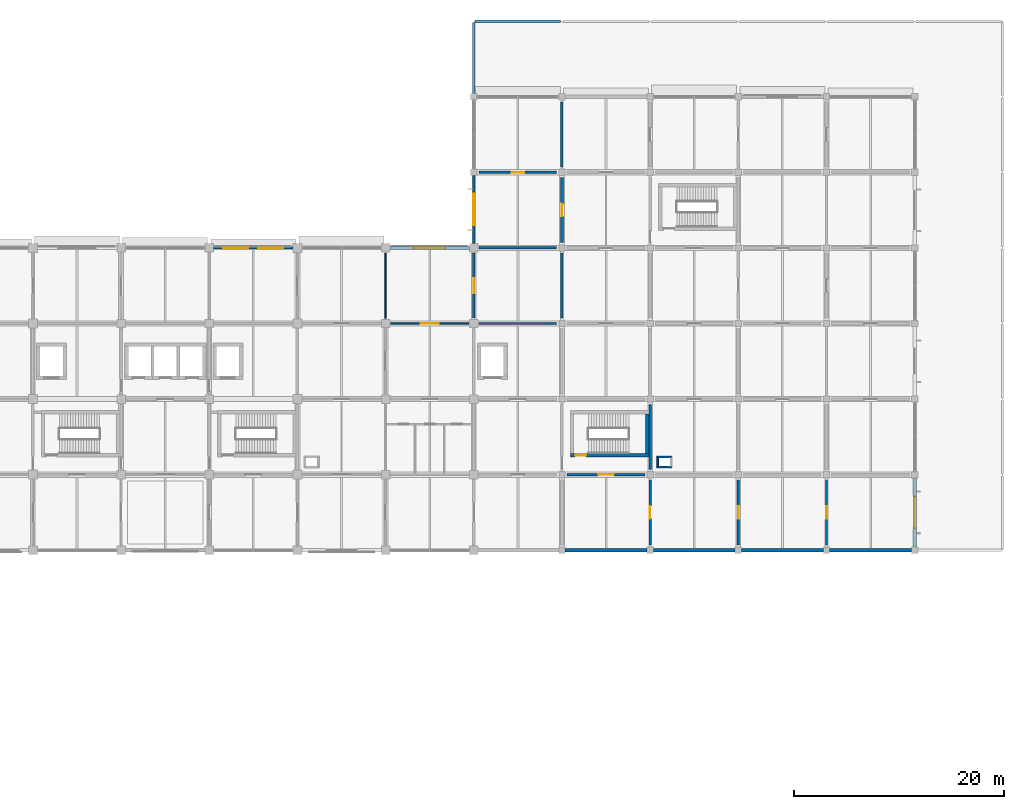
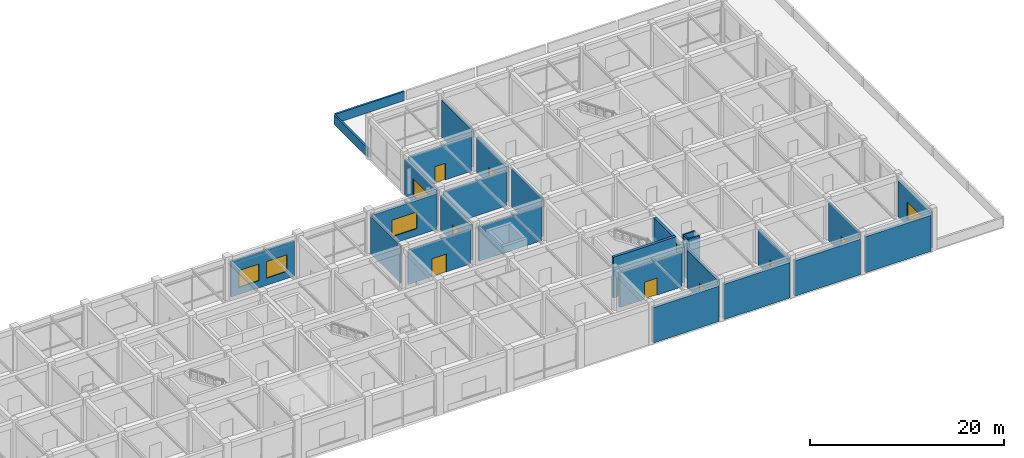
# One storey, part 28 of 38: 29 walls, 9 doors, 5 windows, 14 openings.
"""IFC4 building model written with IfcOpenShell, lengths in metres."""

from ifc_helpers import new_model, si_unit, derived_unit, direction, frame, frame_2d, origin, place, context, subcontext, project, spatial, rectangle, extrude, material, layer, layer_set, type_object, element, fill, save


model = new_model("IFC4")

# Units and contexts
model_context = context("Model", 3, precision=1e-05, world=origin(), true_north=direction((0.0, 1.0)))
body_context = subcontext(model_context, "Body", "Model", "MODEL_VIEW")
ifc_project = project(units=[si_unit("LENGTHUNIT", "METRE"), si_unit("AREAUNIT", "SQUARE_METRE"), si_unit("VOLUMEUNIT", "CUBIC_METRE"), si_unit("PLANEANGLEUNIT", "RADIAN"), si_unit("MASSUNIT", "GRAM", prefix="KILO"), derived_unit("THERMALTRANSMITTANCEUNIT", [(si_unit("MASSUNIT", "GRAM", prefix="KILO"), 1), (si_unit("TIMEUNIT", "SECOND"), -3), (si_unit("THERMODYNAMICTEMPERATUREUNIT", "KELVIN"), -1)])], contexts=[model_context])

# Site, building, storey
site_placement = place(None, origin())
site = spatial("IfcSite", under=ifc_project, at=site_placement, CompositionType="ELEMENT")
building_placement = place(site_placement, origin())
building = spatial("IfcBuilding", under=site, at=building_placement, Name="Veldstrom Oceanarium and Marine Research Institute", CompositionType="ELEMENT")
storey_placement = place(building_placement, frame((0.0, 0.0, 11.39990234375)))
storey = spatial("IfcBuildingStorey", under=building, at=storey_placement, Name="L02", CompositionType="ELEMENT", Elevation=11.39990234375)

# Wall, opening, window
ifc_material_1 = material(Name="Masonry Cavity Wall", Category="masonry")
ifc_layer_1 = layer(ifc_material_1, 0.31005859375)
ifc_layer_set_1 = layer_set([ifc_layer_1], Name="ARC-WAL-EW1")
wall_type_1 = type_object("IfcWallType", Name="ARC-WAL-EW1", PredefinedType="SOLIDWALL", material=ifc_layer_set_1)
wall_1_placement = place(storey_placement, frame((159.60009765625, 43.5, 0.0), z_axis=(0.0, 0.0, 1.0), x_axis=(0.0, 1.0, 0.0)))
wall_1 = element("IfcWall", 1, at=wall_1_placement, inside=storey, type_object=wall_type_1, Name="Exterior Facade Wall EW1 L02-146", PredefinedType="SOLIDWALL", context=body_context, shape_type="SweptSolid", body=[
    extrude(rectangle(XDim=6.60009765625, YDim=0.31005859375, at=frame_2d((3.300048828125, 0.0))), origin(), (0.0, 0.0, 1.0), 4.52001953125),
])
opening_1_placement = place(wall_1_placement, frame((1.800048828125, 0.0, 0.89990234375)))
opening_1 = element("IfcOpeningElement", 2, at=opening_1_placement, cuts=wall_1, Name="Opening W07", PredefinedType="OPENING", context=body_context, shape_type="SweptSolid", body=[
    extrude(rectangle(XDim=3.0, YDim=2.10009765625, at=frame_2d((1.5, 1.050048828125))), frame((0.0, 0.1650390625, 0.0), z_axis=(0.0, -1.0, 0.0), x_axis=(1.0, 0.0, 0.0)), (0.0, 0.0, 1.0), 0.330078125),
])
ifc_material_2 = material(Name="Double Glazed Low-E IGU", Category="glass")
window_type_1 = type_object("IfcWindowType", Name="ARC-WIN-W07", PartitioningType="SINGLE_PANEL", PredefinedType="WINDOW", material=ifc_material_2)
window_1_placement = place(opening_1_placement, origin())
window_1 = element("IfcWindow", 3, at=window_1_placement, inside=storey, type_object=window_type_1, Name="Facade Window W07 L02-0106", OverallHeight=2.10009765625, OverallWidth=3.0, PartitioningType="SINGLE_PANEL", PredefinedType="WINDOW", context=body_context, shape_type="SweptSolid", body=[
    extrude(rectangle(XDim=3.0, YDim=2.10009765625, at=frame_2d((1.5, 1.050048828125))), frame((0.0, 0.030029296875, 0.0), z_axis=(0.0, -1.0, 0.0), x_axis=(1.0, 0.0, 0.0)), (0.0, 0.0, 1.0), 0.06005859375),
])
fill(opening_1, window_1)

ifc_material_3 = material(Name="Masonry Cavity Wall", Category="masonry")
ifc_layer_2 = layer(ifc_material_3, 0.2900390625)
ifc_layer_set_2 = layer_set([ifc_layer_2], Name="ARC-WAL-EW2")
wall_type_2 = type_object("IfcWallType", Name="ARC-WAL-EW2", PredefinedType="SOLIDWALL", material=ifc_layer_set_2)
wall_2_placement = place(storey_placement, frame((109.60009765625, 72.0, 0.0), z_axis=(0.0, 0.0, 1.0), x_axis=(1.0, 0.0, 0.0)))
wall_2 = element("IfcWall", 4, at=wall_2_placement, inside=storey, type_object=wall_type_2, Name="Exterior Facade Wall EW2 L02-137", PredefinedType="SOLIDWALL", context=body_context, shape_type="SweptSolid", body=[
    extrude(rectangle(XDim=7.599853515625, YDim=0.2900390625, at=frame_2d((3.7998046875, 0.0))), origin(), (0.0, 0.0, 1.0), 4.445068359375),
])
opening_2_placement = place(wall_2_placement, frame((2.300048828125, 0.0, 0.89990234375)))
opening_2 = element("IfcOpeningElement", 5, at=opening_2_placement, cuts=wall_2, Name="Opening W07", PredefinedType="OPENING", context=body_context, shape_type="SweptSolid", body=[
    extrude(rectangle(XDim=3.0, YDim=2.10009765625, at=frame_2d((1.5, 1.050048828125))), frame((0.0, 0.155029296875, 0.0), z_axis=(0.0, -1.0, 0.0), x_axis=(1.0, 0.0, 0.0)), (0.0, 0.0, 1.0), 0.31005859375),
])
window_2_placement = place(opening_2_placement, origin())
window_2 = element("IfcWindow", 6, at=window_2_placement, inside=storey, type_object=window_type_1, Name="Facade Window W07 L02-0103", OverallHeight=2.10009765625, OverallWidth=3.0, PartitioningType="SINGLE_PANEL", PredefinedType="WINDOW", context=body_context, shape_type="SweptSolid", body=[
    extrude(rectangle(XDim=3.0, YDim=2.10009765625, at=frame_2d((1.5, 1.050048828125))), frame((0.0, 0.030029296875, 0.0), z_axis=(0.0, -1.0, 0.0), x_axis=(1.0, 0.0, 0.0)), (0.0, 0.0, 1.0), 0.06005859375),
])
fill(opening_2, window_2)

# Walls
ifc_material_4 = material(Name="Masonry Cavity Wall", Category="masonry")
ifc_layer_3 = layer(ifc_material_4, 0.340087890625)
ifc_layer_set_3 = layer_set([ifc_layer_3], Name="ARC-WAL-EW4")
wall_type_3 = type_object("IfcWallType", Name="ARC-WAL-EW4", PredefinedType="SOLIDWALL", material=ifc_layer_set_3)
for number, where, z_axis, x_axis, name in (
    (7, (126.300048828125, 43.199951171875, 0.0), (0.0, 0.0, 1.0), (1.0, 0.0, 0.0), "Exterior Facade Wall EW4 L02-140"),
    (8, (134.699951171875, 43.199951171875, 0.0), (0.0, 0.0, 1.0), (1.0, 0.0, 0.0), "Exterior Facade Wall EW4 L02-142"),
):
    element("IfcWall", number, at=place(storey_placement, frame(where, z_axis=z_axis, x_axis=x_axis)), inside=storey, type_object=wall_type_3, Name=name, PredefinedType="SOLIDWALL", context=body_context, shape_type="SweptSolid", body=[
        extrude(rectangle(XDim=7.800048828125, YDim=0.340087890625, at=frame_2d((3.89990234375, 0.0))), origin(), (0.0, 0.0, 1.0), 4.445068359375),
    ])
wall_3_placement = place(storey_placement, frame((143.10009765625, 43.199951171875, 0.0), z_axis=(0.0, 0.0, 1.0), x_axis=(1.0, 0.0, 0.0)))
element("IfcWall", 9, at=wall_3_placement, inside=storey, type_object=wall_type_3, Name="Exterior Facade Wall EW4 L02-143", PredefinedType="SOLIDWALL", context=body_context, shape_type="SweptSolid", body=[
    extrude(rectangle(XDim=7.7998046875, YDim=0.340087890625, at=frame_2d((3.89990234375, 0.0))), origin(), (0.0, 0.0, 1.0), 4.445068359375),
])
wall_4_placement = place(storey_placement, frame((151.5, 43.199951171875, 0.0), z_axis=(0.0, 0.0, 1.0), x_axis=(1.0, 0.0, 0.0)))
element("IfcWall", 10, at=wall_4_placement, inside=storey, type_object=wall_type_3, Name="Exterior Facade Wall EW4 L02-145", PredefinedType="SOLIDWALL", context=body_context, shape_type="SweptSolid", body=[
    extrude(rectangle(XDim=7.800048828125, YDim=0.340087890625, at=frame_2d((3.89990234375, 0.0))), origin(), (0.0, 0.0, 1.0), 4.52001953125),
])

# Wall, opening, window
ifc_material_5 = material(Name="Masonry Cavity Wall", Category="masonry")
ifc_layer_4 = layer(ifc_material_5, 0.25)
ifc_layer_set_4 = layer_set([ifc_layer_4], Name="ARC-WAL-EW5")
wall_type_4 = type_object("IfcWallType", Name="ARC-WAL-EW5", PredefinedType="SOLIDWALL", material=ifc_layer_set_4)
wall_5_placement = place(storey_placement, frame((117.60009765625, 72.39990234375, 0.0), z_axis=(0.0, 0.0, 1.0), x_axis=(0.0, 1.0, 0.0)))
wall_5 = element("IfcWall", 11, at=wall_5_placement, inside=storey, type_object=wall_type_4, Name="Exterior Facade Wall EW5 L02-139", PredefinedType="SOLIDWALL", context=body_context, shape_type="SweptSolid", body=[
    extrude(rectangle(XDim=6.5, YDim=0.25, at=frame_2d((3.25, 0.0))), origin(), (0.0, 0.0, 1.0), 4.445068359375),
])
opening_3_placement = place(wall_5_placement, frame((1.75, 0.0, 0.89990234375)))
opening_3 = element("IfcOpeningElement", 12, at=opening_3_placement, cuts=wall_5, Name="Opening W07", PredefinedType="OPENING", context=body_context, shape_type="SweptSolid", body=[
    extrude(rectangle(XDim=3.0, YDim=2.10009765625, at=frame_2d((1.5, 1.050048828125))), frame((0.0, 0.135009765625, 0.0), z_axis=(0.0, -1.0, 0.0), x_axis=(1.0, 0.0, 0.0)), (0.0, 0.0, 1.0), 0.27001953125),
])
window_3_placement = place(opening_3_placement, origin())
window_3 = element("IfcWindow", 13, at=window_3_placement, inside=storey, type_object=window_type_1, Name="Facade Window W07 L02-0104", OverallHeight=2.10009765625, OverallWidth=3.0, PartitioningType="SINGLE_PANEL", PredefinedType="WINDOW", context=body_context, shape_type="SweptSolid", body=[
    extrude(rectangle(XDim=3.0, YDim=2.10009765625, at=frame_2d((1.5, 1.050048828125))), frame((0.0, 0.030029296875, 0.0), z_axis=(0.0, -1.0, 0.0), x_axis=(1.0, 0.0, 0.0)), (0.0, 0.0, 1.0), 0.06005859375),
])
fill(opening_3, window_3)

# Wall, openings, windows
ifc_material_6 = material(Name="Masonry Cavity Wall", Category="masonry")
ifc_layer_5 = layer(ifc_material_6, 0.215087890625)
ifc_layer_set_5 = layer_set([ifc_layer_5], Name="ARC-WAL-EW6")
wall_type_5 = type_object("IfcWallType", Name="ARC-WAL-EW6", PredefinedType="SOLIDWALL", material=ifc_layer_set_5)
wall_6_placement = place(storey_placement, frame((92.800048828125, 72.0, 0.0), z_axis=(0.0, 0.0, 1.0), x_axis=(1.0, 0.0, 0.0)))
wall_6 = element("IfcWall", 14, at=wall_6_placement, inside=storey, type_object=wall_type_5, Name="Exterior Facade Wall EW6 L02-135", PredefinedType="SOLIDWALL", context=body_context, shape_type="SweptSolid", body=[
    extrude(rectangle(XDim=7.574951171875, YDim=0.215087890625, at=frame_2d((3.78759765625, 0.0))), origin(), (0.0, 0.0, 1.0), 4.445068359375),
])
opening_4_placement = place(wall_6_placement, frame((0.925048828125, 0.0, 0.89990234375)))
opening_4 = element("IfcOpeningElement", 15, at=opening_4_placement, cuts=wall_6, Name="Opening W09", PredefinedType="OPENING", context=body_context, shape_type="SweptSolid", body=[
    extrude(rectangle(XDim=2.39990234375, YDim=2.10009765625, at=frame_2d((1.199951171875, 1.050048828125))), frame((0.0, 0.117431640625, 0.0), z_axis=(0.0, -1.0, 0.0), x_axis=(1.0, 0.0, 0.0)), (0.0, 0.0, 1.0), 0.235107421875),
])
opening_5_placement = place(wall_6_placement, frame((4.25, 0.0, 0.89990234375)))
opening_5 = element("IfcOpeningElement", 16, at=opening_5_placement, cuts=wall_6, Name="Opening W09", PredefinedType="OPENING", context=body_context, shape_type="SweptSolid", body=[
    extrude(rectangle(XDim=2.39990234375, YDim=2.10009765625, at=frame_2d((1.199951171875, 1.050048828125))), frame((0.0, 0.117431640625, 0.0), z_axis=(0.0, -1.0, 0.0), x_axis=(1.0, 0.0, 0.0)), (0.0, 0.0, 1.0), 0.235107421875),
])
ifc_material_7 = material(Name="Double Glazed Low-E IGU", Category="glass")
window_type_2 = type_object("IfcWindowType", Name="ARC-WIN-W09", PartitioningType="SINGLE_PANEL", PredefinedType="WINDOW", material=ifc_material_7)
window_4_placement = place(opening_4_placement, origin())
window_4 = element("IfcWindow", 17, at=window_4_placement, inside=storey, type_object=window_type_2, Name="Facade Window W09 L02-0100", OverallHeight=2.10009765625, OverallWidth=2.39990234375, PartitioningType="SINGLE_PANEL", PredefinedType="WINDOW", context=body_context, shape_type="SweptSolid", body=[
    extrude(rectangle(XDim=2.39990234375, YDim=2.10009765625, at=frame_2d((1.199951171875, 1.050048828125))), frame((0.0, 0.030029296875, 0.0), z_axis=(0.0, -1.0, 0.0), x_axis=(1.0, 0.0, 0.0)), (0.0, 0.0, 1.0), 0.06005859375),
])
fill(opening_4, window_4)
window_5_placement = place(opening_5_placement, origin())
window_5 = element("IfcWindow", 18, at=window_5_placement, inside=storey, type_object=window_type_2, Name="Facade Window W09 L02-0101", OverallHeight=2.10009765625, OverallWidth=2.39990234375, PartitioningType="SINGLE_PANEL", PredefinedType="WINDOW", context=body_context, shape_type="SweptSolid", body=[
    extrude(rectangle(XDim=2.39990234375, YDim=2.10009765625, at=frame_2d((1.199951171875, 1.050048828125))), frame((0.0, 0.030029296875, 0.0), z_axis=(0.0, -1.0, 0.0), x_axis=(1.0, 0.0, 0.0)), (0.0, 0.0, 1.0), 0.06005859375),
])
fill(opening_5, window_5)

# Walls
ifc_material_8 = material(Name="Masonry Cavity Wall", Category="masonry")
ifc_layer_6 = layer(ifc_material_8, 0.219970703125)
ifc_layer_set_6 = layer_set([ifc_layer_6], Name="ARC-WAL-PR1")
wall_type_6 = type_object("IfcWallType", Name="ARC-WAL-PR1", PredefinedType="PARAPET", material=ifc_layer_set_6)
wall_7_placement = place(storey_placement, frame((117.719970703125, 93.60009765625, 0.0), z_axis=(0.0, 0.0, 1.0), x_axis=(1.0, 0.0, 0.0)))
element("IfcWall", 19, at=wall_7_placement, inside=storey, type_object=wall_type_6, Name="Roof Parapet Wall L01-032", PredefinedType="PARAPET", context=body_context, shape_type="SweptSolid", body=[
    extrude(rectangle(XDim=8.159912109375, YDim=0.219970703125, at=frame_2d((4.080078125, 0.0))), origin(), (0.0, 0.0, 1.0), 1.150146484375),
])
wall_8_placement = place(storey_placement, frame((117.60009765625, 86.52001953125, 0.0), z_axis=(0.0, 0.0, 1.0), x_axis=(0.0, 1.0, 0.0)))
element("IfcWall", 20, at=wall_8_placement, inside=storey, type_object=wall_type_6, Name="Roof Parapet Wall L01-033", PredefinedType="PARAPET", context=body_context, shape_type="SweptSolid", body=[
    extrude(rectangle(XDim=6.9599609375, YDim=0.219970703125, at=frame_2d((3.47998046875, 0.0))), origin(), (0.0, 0.0, 1.0), 1.150146484375),
])
ifc_material_9 = material(Name="Masonry Fire Compartment Wall", Category="masonry")
ifc_layer_7 = layer(ifc_material_9, 0.22998046875)
ifc_layer_set_7 = layer_set([ifc_layer_7], Name="ARC-WAL-PT1")
wall_type_7 = type_object("IfcWallType", Name="ARC-WAL-PT1", PredefinedType="PARTITIONING", material=ifc_layer_set_7)
wall_9_placement = place(storey_placement, frame((118.10009765625, 64.800048828125, 0.0), z_axis=(0.0, 0.0, 1.0), x_axis=(1.0, 0.0, 0.0)))
element("IfcWall", 21, at=wall_9_placement, inside=storey, type_object=wall_type_7, Name="Interior Partition PT1 L02-1205", PredefinedType="PARTITIONING", context=body_context, shape_type="SweptSolid", body=[
    extrude(rectangle(XDim=7.39990234375, YDim=0.22998046875, at=frame_2d((3.699951171875, 0.0))), origin(), (0.0, 0.0, 1.0), 4.34521484375),
])
wall_10_placement = place(storey_placement, frame((126.0, 65.300048828125, 0.0), z_axis=(0.0, 0.0, 1.0), x_axis=(0.0, 1.0, 0.0)))
element("IfcWall", 22, at=wall_10_placement, inside=storey, type_object=wall_type_7, Name="Interior Partition PT1 L02-1206", PredefinedType="PARTITIONING", context=body_context, shape_type="SweptSolid", body=[
    extrude(rectangle(XDim=6.199951171875, YDim=0.22998046875, at=frame_2d((3.10009765625, 0.0))), origin(), (0.0, 0.0, 1.0), 4.80517578125),
])
wall_11_placement = place(storey_placement, frame((118.10009765625, 72.0, 0.0), z_axis=(0.0, 0.0, 1.0), x_axis=(1.0, 0.0, 0.0)))
element("IfcWall", 23, at=wall_11_placement, inside=storey, type_object=wall_type_7, Name="Interior Partition PT1 L02-1207", PredefinedType="PARTITIONING", context=body_context, shape_type="SweptSolid", body=[
    extrude(rectangle(XDim=7.39990234375, YDim=0.22998046875, at=frame_2d((3.699951171875, 0.0))), origin(), (0.0, 0.0, 1.0), 4.34521484375),
])
wall_12_placement = place(storey_placement, frame((126.0, 79.699951171875, 0.0), z_axis=(0.0, 0.0, 1.0), x_axis=(0.0, 1.0, 0.0)))
element("IfcWall", 24, at=wall_12_placement, inside=storey, type_object=wall_type_7, Name="Interior Partition PT1 L02-1210", PredefinedType="PARTITIONING", context=body_context, shape_type="SweptSolid", body=[
    extrude(rectangle(XDim=6.199951171875, YDim=0.22998046875, at=frame_2d((3.10009765625, 0.0))), origin(), (0.0, 0.0, 1.0), 4.670166015625),
])

# Wall, opening, door
wall_13_placement = place(storey_placement, frame((134.39990234375, 43.699951171875, 0.0), z_axis=(0.0, 0.0, 1.0), x_axis=(0.0, 1.0, 0.0)))
wall_13 = element("IfcWall", 25, at=wall_13_placement, inside=storey, type_object=wall_type_7, Name="Interior Partition PT1 L02-1211", PredefinedType="PARTITIONING", context=body_context, shape_type="SweptSolid", body=[
    extrude(rectangle(XDim=6.199951171875, YDim=0.22998046875, at=frame_2d((3.10009765625, 0.0))), origin(), (0.0, 0.0, 1.0), 4.695068359375),
])
opening_6_placement = place(wall_13_placement, frame((2.5, 0.0, 0.0)))
opening_6 = element("IfcOpeningElement", 26, at=opening_6_placement, cuts=wall_13, Name="Opening D-L02-707", PredefinedType="OPENING", context=body_context, shape_type="SweptSolid", body=[
    extrude(rectangle(XDim=1.199951171875, YDim=2.10009765625, at=frame_2d((0.60009765625, 1.050048828125))), frame((0.0, 0.125, 0.0), z_axis=(0.0, -1.0, 0.0), x_axis=(1.0, 0.0, 0.0)), (0.0, 0.0, 1.0), 0.25),
])
ifc_material_10 = material(Name="Quarantine Biosecure Door", Category="steel")
door_type_1 = type_object("IfcDoorType", Name="ARC-DOR-ID06", OperationType="SINGLE_SWING_RIGHT", PredefinedType="DOOR", material=ifc_material_10)
door_1_placement = place(opening_6_placement, origin())
door_1 = element("IfcDoor", 27, at=door_1_placement, inside=storey, type_object=door_type_1, Name="Interior Door D-L02-707", OperationType="SINGLE_SWING_RIGHT", OverallHeight=2.10009765625, OverallWidth=1.199951171875, PredefinedType="DOOR", context=body_context, shape_type="SweptSolid", body=[
    extrude(rectangle(XDim=1.199951171875, YDim=2.10009765625, at=frame_2d((0.60009765625, 1.050048828125))), frame((0.0, 0.02490234375, 0.0), z_axis=(0.0, -1.0, 0.0), x_axis=(1.0, 0.0, 0.0)), (0.0, 0.0, 1.0), 0.050048828125),
])
fill(opening_6, door_1)

wall_14_placement = place(storey_placement, frame((126.5, 50.39990234375, 0.0), z_axis=(0.0, 0.0, 1.0), x_axis=(1.0, 0.0, 0.0)))
wall_14 = element("IfcWall", 28, at=wall_14_placement, inside=storey, type_object=wall_type_7, Name="Interior Partition PT1 L02-1212", PredefinedType="PARTITIONING", context=body_context, shape_type="SweptSolid", body=[
    extrude(rectangle(XDim=7.39990234375, YDim=0.22998046875, at=frame_2d((3.699951171875, 0.0))), origin(), (0.0, 0.0, 1.0), 4.34521484375),
])
opening_7_placement = place(wall_14_placement, frame((2.949951171875, 0.0, 0.0)))
opening_7 = element("IfcOpeningElement", 29, at=opening_7_placement, cuts=wall_14, Name="Opening D-L02-708", PredefinedType="OPENING", context=body_context, shape_type="SweptSolid", body=[
    extrude(rectangle(XDim=1.5, YDim=2.14990234375, at=frame_2d((0.75, 1.074951171875))), frame((0.0, 0.125, 0.0), z_axis=(0.0, -1.0, 0.0), x_axis=(1.0, 0.0, 0.0)), (0.0, 0.0, 1.0), 0.25),
])
ifc_material_11 = material(Name="Painted Steel Lobby Fire Door", Category="steel")
door_type_2 = type_object("IfcDoorType", Name="ARC-DOR-SD2", OperationType="DOUBLE_DOOR_SINGLE_SWING", PredefinedType="DOOR", material=ifc_material_11)
door_2_placement = place(opening_7_placement, frame((1.5, 0.0, 0.0), z_axis=(0.0, 0.0, 1.0), x_axis=(-1.0, 0.0, 0.0)))
door_2 = element("IfcDoor", 30, at=door_2_placement, inside=storey, type_object=door_type_2, Name="Interior Door D-L02-708", OperationType="DOUBLE_DOOR_SINGLE_SWING", OverallHeight=2.14990234375, OverallWidth=1.5, PredefinedType="DOOR", context=body_context, shape_type="SweptSolid", body=[
    extrude(rectangle(XDim=1.5, YDim=2.14990234375, at=frame_2d((0.75, 1.074951171875))), frame((0.0, 0.02490234375, 0.0), z_axis=(0.0, -1.0, 0.0), x_axis=(1.0, 0.0, 0.0)), (0.0, 0.0, 1.0), 0.050048828125),
])
fill(opening_7, door_2)

# Wall
wall_15_placement = place(storey_placement, frame((134.39990234375, 50.89990234375, 0.0), z_axis=(0.0, 0.0, 1.0), x_axis=(0.0, 1.0, 0.0)))
element("IfcWall", 31, at=wall_15_placement, inside=storey, type_object=wall_type_7, Name="Interior Partition PT1 L02-1213", PredefinedType="PARTITIONING", context=body_context, shape_type="SweptSolid", body=[
    extrude(rectangle(XDim=6.2001953125, YDim=0.22998046875, at=frame_2d((3.10009765625, 0.0))), origin(), (0.0, 0.0, 1.0), 4.39501953125),
])

# Wall, opening, door
wall_16_placement = place(storey_placement, frame((151.199951171875, 43.699951171875, 0.0), z_axis=(0.0, 0.0, 1.0), x_axis=(0.0, 1.0, 0.0)))
wall_16 = element("IfcWall", 32, at=wall_16_placement, inside=storey, type_object=wall_type_7, Name="Interior Partition PT1 L02-1233", PredefinedType="PARTITIONING", context=body_context, shape_type="SweptSolid", body=[
    extrude(rectangle(XDim=6.199951171875, YDim=0.22998046875, at=frame_2d((3.10009765625, 0.0))), origin(), (0.0, 0.0, 1.0), 4.80517578125),
])
opening_8_placement = place(wall_16_placement, frame((2.5, 0.0, 0.0)))
opening_8 = element("IfcOpeningElement", 33, at=opening_8_placement, cuts=wall_16, Name="Opening D-L02-720", PredefinedType="OPENING", context=body_context, shape_type="SweptSolid", body=[
    extrude(rectangle(XDim=1.199951171875, YDim=2.10009765625, at=frame_2d((0.60009765625, 1.050048828125))), frame((0.0, 0.125, 0.0), z_axis=(0.0, -1.0, 0.0), x_axis=(1.0, 0.0, 0.0)), (0.0, 0.0, 1.0), 0.25),
])
door_3_placement = place(opening_8_placement, origin())
door_3 = element("IfcDoor", 34, at=door_3_placement, inside=storey, type_object=door_type_1, Name="Interior Door D-L02-720", OperationType="SINGLE_SWING_RIGHT", OverallHeight=2.10009765625, OverallWidth=1.199951171875, PredefinedType="DOOR", context=body_context, shape_type="SweptSolid", body=[
    extrude(rectangle(XDim=1.199951171875, YDim=2.10009765625, at=frame_2d((0.60009765625, 1.050048828125))), frame((0.0, 0.02490234375, 0.0), z_axis=(0.0, -1.0, 0.0), x_axis=(1.0, 0.0, 0.0)), (0.0, 0.0, 1.0), 0.050048828125),
])
fill(opening_8, door_3)

ifc_material_12 = material(Name="Moisture-Resistant Wet-Area Partition", Category="masonry")
ifc_layer_8 = layer(ifc_material_12, 0.139892578125)
ifc_layer_set_8 = layer_set([ifc_layer_8], Name="ARC-WAL-PT5")
wall_type_8 = type_object("IfcWallType", Name="ARC-WAL-PT5", PredefinedType="PARTITIONING", material=ifc_layer_set_8)
wall_17_placement = place(storey_placement, frame((109.699951171875, 64.800048828125, 0.0), z_axis=(0.0, 0.0, 1.0), x_axis=(1.0, 0.0, 0.0)))
wall_17 = element("IfcWall", 35, at=wall_17_placement, inside=storey, type_object=wall_type_8, Name="Interior Partition PT5 L02-1198", PredefinedType="PARTITIONING", context=body_context, shape_type="SweptSolid", body=[
    extrude(rectangle(XDim=7.400146484375, YDim=0.139892578125, at=frame_2d((3.7001953125, 0.0))), origin(), (0.0, 0.0, 1.0), 4.34521484375),
])
opening_9_placement = place(wall_17_placement, frame((2.85009765625, 0.0, 0.0)))
opening_9 = element("IfcOpeningElement", 36, at=opening_9_placement, cuts=wall_17, Name="Opening D-L02-700", PredefinedType="OPENING", context=body_context, shape_type="SweptSolid", body=[
    extrude(rectangle(XDim=1.699951171875, YDim=2.25, at=frame_2d((0.85009765625, 1.125))), frame((0.0, 0.079833984375, 0.0), z_axis=(0.0, -1.0, 0.0), x_axis=(1.0, 0.0, 0.0)), (0.0, 0.0, 1.0), 0.159912109375),
])
ifc_material_13 = material(Name="Symposium Auditorium Door", Category="timber")
door_type_3 = type_object("IfcDoorType", Name="ARC-DOR-ID13", OperationType="DOUBLE_DOOR_SINGLE_SWING", PredefinedType="DOOR", material=ifc_material_13)
door_4_placement = place(opening_9_placement, frame((1.699951171875, 0.0, 0.0), z_axis=(0.0, 0.0, 1.0), x_axis=(-1.0, 0.0, 0.0)))
door_4 = element("IfcDoor", 37, at=door_4_placement, inside=storey, type_object=door_type_3, Name="Interior Door D-L02-700", OperationType="DOUBLE_DOOR_SINGLE_SWING", OverallHeight=2.25, OverallWidth=1.699951171875, PredefinedType="DOOR", context=body_context, shape_type="SweptSolid", body=[
    extrude(rectangle(XDim=1.699951171875, YDim=2.25, at=frame_2d((0.85009765625, 1.125))), frame((0.0, 0.02490234375, 0.0), z_axis=(0.0, -1.0, 0.0), x_axis=(1.0, 0.0, 0.0)), (0.0, 0.0, 1.0), 0.050048828125),
])
fill(opening_9, door_4)

# Wall
ifc_material_14 = material(Name="Lightweight Studio Partition", Category="gypsum")
ifc_layer_9 = layer(ifc_material_14, 0.1201171875)
ifc_layer_set_9 = layer_set([ifc_layer_9], Name="ARC-WAL-PT6")
wall_type_9 = type_object("IfcWallType", Name="ARC-WAL-PT6", PredefinedType="PARTITIONING", material=ifc_layer_set_9)
wall_18_placement = place(storey_placement, frame((109.199951171875, 65.300048828125, 0.0), z_axis=(0.0, 0.0, 1.0), x_axis=(0.0, 1.0, 0.0)))
element("IfcWall", 38, at=wall_18_placement, inside=storey, type_object=wall_type_9, Name="Interior Partition PT6 L02-1192", PredefinedType="PARTITIONING", context=body_context, shape_type="SweptSolid", body=[
    extrude(rectangle(XDim=6.199951171875, YDim=0.1201171875, at=frame_2d((3.10009765625, 0.0))), origin(), (0.0, 0.0, 1.0), 4.695068359375),
])

# Wall, opening, door
ifc_material_15 = material(Name="Plant Acoustic Masonry Wall", Category="masonry")
ifc_layer_10 = layer(ifc_material_15, 0.260009765625)
ifc_layer_set_10 = layer_set([ifc_layer_10], Name="ARC-WAL-PT8")
wall_type_10 = type_object("IfcWallType", Name="ARC-WAL-PT8", PredefinedType="PARTITIONING", material=ifc_layer_set_10)
wall_19_placement = place(storey_placement, frame((117.60009765625, 65.300048828125, 0.0), z_axis=(0.0, 0.0, 1.0), x_axis=(0.0, 1.0, 0.0)))
wall_19 = element("IfcWall", 39, at=wall_19_placement, inside=storey, type_object=wall_type_10, Name="Interior Partition PT8 L02-1199", PredefinedType="PARTITIONING", context=body_context, shape_type="SweptSolid", body=[
    extrude(rectangle(XDim=6.199951171875, YDim=0.260009765625, at=frame_2d((3.10009765625, 0.0))), origin(), (0.0, 0.0, 1.0), 4.39501953125),
])
opening_10_placement = place(wall_19_placement, frame((2.39990234375, 0.0, 0.0)))
opening_10 = element("IfcOpeningElement", 40, at=opening_10_placement, cuts=wall_19, Name="Opening D-L02-701", PredefinedType="OPENING", context=body_context, shape_type="SweptSolid", body=[
    extrude(rectangle(XDim=1.39990234375, YDim=2.14990234375, at=frame_2d((0.699951171875, 1.074951171875))), frame((0.0, 0.139892578125, 0.0), z_axis=(0.0, -1.0, 0.0), x_axis=(1.0, 0.0, 0.0)), (0.0, 0.0, 1.0), 0.280029296875),
])
ifc_material_16 = material(Name="Education Classroom Door", Category="timber")
door_type_4 = type_object("IfcDoorType", Name="ARC-DOR-ID04", OperationType="DOUBLE_DOOR_SINGLE_SWING", PredefinedType="DOOR", material=ifc_material_16)
door_5_placement = place(opening_10_placement, frame((1.39990234375, 0.0, 0.0), z_axis=(0.0, 0.0, 1.0), x_axis=(-1.0, 0.0, 0.0)))
door_5 = element("IfcDoor", 41, at=door_5_placement, inside=storey, type_object=door_type_4, Name="Interior Door D-L02-701", OperationType="DOUBLE_DOOR_SINGLE_SWING", OverallHeight=2.14990234375, OverallWidth=1.39990234375, PredefinedType="DOOR", context=body_context, shape_type="SweptSolid", body=[
    extrude(rectangle(XDim=1.39990234375, YDim=2.14990234375, at=frame_2d((0.699951171875, 1.074951171875))), frame((0.0, 0.02490234375, 0.0), z_axis=(0.0, -1.0, 0.0), x_axis=(1.0, 0.0, 0.0)), (0.0, 0.0, 1.0), 0.050048828125),
])
fill(opening_10, door_5)

wall_20_placement = place(storey_placement, frame((126.0, 72.5, 0.0), z_axis=(0.0, 0.0, 1.0), x_axis=(0.0, 1.0, 0.0)))
wall_20 = element("IfcWall", 42, at=wall_20_placement, inside=storey, type_object=wall_type_10, Name="Interior Partition PT8 L02-1208", PredefinedType="PARTITIONING", context=body_context, shape_type="SweptSolid", body=[
    extrude(rectangle(XDim=6.199951171875, YDim=0.260009765625, at=frame_2d((3.10009765625, 0.0))), origin(), (0.0, 0.0, 1.0), 4.39501953125),
])
opening_11_placement = place(wall_20_placement, frame((2.5, 0.0, 0.0)))
opening_11 = element("IfcOpeningElement", 43, at=opening_11_placement, cuts=wall_20, Name="Opening D-L02-705", PredefinedType="OPENING", context=body_context, shape_type="SweptSolid", body=[
    extrude(rectangle(XDim=1.199951171875, YDim=2.10009765625, at=frame_2d((0.60009765625, 1.050048828125))), frame((0.0, 0.139892578125, 0.0), z_axis=(0.0, -1.0, 0.0), x_axis=(1.0, 0.0, 0.0)), (0.0, 0.0, 1.0), 0.280029296875),
])
door_6_placement = place(opening_11_placement, frame((1.199951171875, 0.0, 0.0), z_axis=(0.0, 0.0, 1.0), x_axis=(-1.0, 0.0, 0.0)))
door_6 = element("IfcDoor", 44, at=door_6_placement, inside=storey, type_object=door_type_1, Name="Interior Door D-L02-705", OperationType="SINGLE_SWING_RIGHT", OverallHeight=2.10009765625, OverallWidth=1.199951171875, PredefinedType="DOOR", context=body_context, shape_type="SweptSolid", body=[
    extrude(rectangle(XDim=1.199951171875, YDim=2.10009765625, at=frame_2d((0.60009765625, 1.050048828125))), frame((0.0, 0.02490234375, 0.0), z_axis=(0.0, -1.0, 0.0), x_axis=(1.0, 0.0, 0.0)), (0.0, 0.0, 1.0), 0.050048828125),
])
fill(opening_11, door_6)

wall_21_placement = place(storey_placement, frame((118.10009765625, 79.199951171875, 0.0), z_axis=(0.0, 0.0, 1.0), x_axis=(1.0, 0.0, 0.0)))
wall_21 = element("IfcWall", 45, at=wall_21_placement, inside=storey, type_object=wall_type_10, Name="Interior Partition PT8 L02-1209", PredefinedType="PARTITIONING", context=body_context, shape_type="SweptSolid", body=[
    extrude(rectangle(XDim=7.39990234375, YDim=0.260009765625, at=frame_2d((3.699951171875, 0.0))), origin(), (0.0, 0.0, 1.0), 4.34521484375),
])
opening_12_placement = place(wall_21_placement, frame((3.10009765625, 0.0, 0.0)))
opening_12 = element("IfcOpeningElement", 46, at=opening_12_placement, cuts=wall_21, Name="Opening D-L02-706", PredefinedType="OPENING", context=body_context, shape_type="SweptSolid", body=[
    extrude(rectangle(XDim=1.199951171875, YDim=2.10009765625, at=frame_2d((0.60009765625, 1.050048828125))), frame((0.0, 0.139892578125, 0.0), z_axis=(0.0, -1.0, 0.0), x_axis=(1.0, 0.0, 0.0)), (0.0, 0.0, 1.0), 0.280029296875),
])
door_7_placement = place(opening_12_placement, origin())
door_7 = element("IfcDoor", 47, at=door_7_placement, inside=storey, type_object=door_type_1, Name="Interior Door D-L02-706", OperationType="SINGLE_SWING_LEFT", OverallHeight=2.10009765625, OverallWidth=1.199951171875, PredefinedType="DOOR", context=body_context, shape_type="SweptSolid", body=[
    extrude(rectangle(XDim=1.199951171875, YDim=2.10009765625, at=frame_2d((0.60009765625, 1.050048828125))), frame((0.0, 0.02490234375, 0.0), z_axis=(0.0, -1.0, 0.0), x_axis=(1.0, 0.0, 0.0)), (0.0, 0.0, 1.0), 0.050048828125),
])
fill(opening_12, door_7)

wall_22_placement = place(storey_placement, frame((142.800048828125, 43.699951171875, 0.0), z_axis=(0.0, 0.0, 1.0), x_axis=(0.0, 1.0, 0.0)))
wall_22 = element("IfcWall", 48, at=wall_22_placement, inside=storey, type_object=wall_type_10, Name="Interior Partition PT8 L02-1222", PredefinedType="PARTITIONING", context=body_context, shape_type="SweptSolid", body=[
    extrude(rectangle(XDim=6.199951171875, YDim=0.260009765625, at=frame_2d((3.10009765625, 0.0))), origin(), (0.0, 0.0, 1.0), 4.39501953125),
])
opening_13_placement = place(wall_22_placement, frame((2.5, 0.0, 0.0)))
opening_13 = element("IfcOpeningElement", 49, at=opening_13_placement, cuts=wall_22, Name="Opening D-L02-714", PredefinedType="OPENING", context=body_context, shape_type="SweptSolid", body=[
    extrude(rectangle(XDim=1.199951171875, YDim=2.10009765625, at=frame_2d((0.60009765625, 1.050048828125))), frame((0.0, 0.139892578125, 0.0), z_axis=(0.0, -1.0, 0.0), x_axis=(1.0, 0.0, 0.0)), (0.0, 0.0, 1.0), 0.280029296875),
])
door_8_placement = place(opening_13_placement, frame((1.199951171875, 0.0, 0.0), z_axis=(0.0, 0.0, 1.0), x_axis=(-1.0, 0.0, 0.0)))
door_8 = element("IfcDoor", 50, at=door_8_placement, inside=storey, type_object=door_type_1, Name="Interior Door D-L02-714", OperationType="SINGLE_SWING_RIGHT", OverallHeight=2.10009765625, OverallWidth=1.199951171875, PredefinedType="DOOR", context=body_context, shape_type="SweptSolid", body=[
    extrude(rectangle(XDim=1.199951171875, YDim=2.10009765625, at=frame_2d((0.60009765625, 1.050048828125))), frame((0.0, 0.02490234375, 0.0), z_axis=(0.0, -1.0, 0.0), x_axis=(1.0, 0.0, 0.0)), (0.0, 0.0, 1.0), 0.050048828125),
])
fill(opening_13, door_8)

# Walls
ifc_material_17 = material(Name="Service Riser Fire Shaft Wall", Category="masonry")
ifc_layer_11 = layer(ifc_material_17, 0.1650390625)
ifc_layer_set_11 = layer_set([ifc_layer_11], Name="ARC-WAL-PT9")
wall_type_11 = type_object("IfcWallType", Name="ARC-WAL-PT9", PredefinedType="PARTITIONING", material=ifc_layer_set_11)
for number, where, z_axis, x_axis, name in (
    (51, (135.034912109375, 51.117431640625, 0.0), (0.0, 0.0, 1.0), (1.0, 0.0, 0.0), "Service Riser Fire Shaft Wall L02-ES-S"),
    (52, (135.034912109375, 52.08251953125, 0.0), (0.0, 0.0, 1.0), (1.0, 0.0, 0.0), "Service Riser Fire Shaft Wall L02-ES-N"),
):
    element("IfcWall", number, at=place(storey_placement, frame(where, z_axis=z_axis, x_axis=x_axis)), inside=storey, type_object=wall_type_11, Name=name, PredefinedType="PARTITIONING", context=body_context, shape_type="SweptSolid", body=[
        extrude(rectangle(XDim=1.43017578125, YDim=0.1650390625, at=frame_2d((0.715087890625, 0.0))), origin(), (0.0, 0.0, 1.0), 5.10009765625),
    ])
wall_23_placement = place(storey_placement, frame((135.117431640625, 51.199951171875, 0.0), z_axis=(0.0, 0.0, 1.0), x_axis=(0.0, 1.0, 0.0)))
element("IfcWall", 53, at=wall_23_placement, inside=storey, type_object=wall_type_11, Name="Service Riser Fire Shaft Wall L02-ES-W", PredefinedType="PARTITIONING", context=body_context, shape_type="SweptSolid", body=[
    extrude(rectangle(XDim=0.800048828125, YDim=0.1650390625, at=frame_2d((0.39990234375, 0.0))), origin(), (0.0, 0.0, 1.0), 5.10009765625),
])

# Wall, opening, door
ifc_material_18 = material(Name="Concrete C40/50", Category="concrete")
ifc_layer_12 = layer(ifc_material_18, 0.320068359375)
ifc_layer_set_12 = layer_set([ifc_layer_12], Name="STR-WAL-WC3")
wall_type_12 = type_object("IfcWallType", Name="STR-WAL-WC3", PredefinedType="SHEAR", material=ifc_layer_set_12)
wall_24_placement = place(storey_placement, frame((126.800048828125, 52.239990234375, 0.0), z_axis=(0.0, 0.0, 1.0), x_axis=(1.0, 0.0, 0.0)))
wall_24 = element("IfcWall", 54, at=wall_24_placement, inside=storey, type_object=wall_type_12, Name="Stair Core Shear Wall SC4-L02-S", PredefinedType="SHEAR", context=body_context, shape_type="SweptSolid", body=[
    extrude(rectangle(XDim=7.47998046875, YDim=0.320068359375, at=frame_2d((3.739990234375, 0.0))), origin(), (0.0, 0.0, 1.0), 5.10009765625),
])
opening_14_placement = place(wall_24_placement, frame((0.449951171875, 0.0, 0.0)))
opening_14 = element("IfcOpeningElement", 55, at=opening_14_placement, cuts=wall_24, Name="Opening D-ST4-L02", PredefinedType="OPENING", context=body_context, shape_type="SweptSolid", body=[
    extrude(rectangle(XDim=1.050048828125, YDim=2.14990234375, at=frame_2d((0.52490234375, 1.074951171875))), frame((0.0, 0.169921875, 0.0), z_axis=(0.0, -1.0, 0.0), x_axis=(1.0, 0.0, 0.0)), (0.0, 0.0, 1.0), 0.340087890625),
])
ifc_material_19 = material(Name="Painted Steel Fire Door", Category="steel")
door_type_5 = type_object("IfcDoorType", Name="ARC-DOR-SD1", OperationType="SINGLE_SWING_LEFT", PredefinedType="DOOR", material=ifc_material_19)
door_9_placement = place(opening_14_placement, origin())
door_9 = element("IfcDoor", 56, at=door_9_placement, inside=storey, type_object=door_type_5, Name="Escape Stair Fire Door D-ST4-L02", OperationType="SINGLE_SWING_LEFT", OverallHeight=2.14990234375, OverallWidth=1.050048828125, PredefinedType="DOOR", context=body_context, shape_type="SweptSolid", body=[
    extrude(rectangle(XDim=1.050048828125, YDim=2.14990234375, at=frame_2d((0.52490234375, 1.074951171875))), frame((0.0, 0.02490234375, 0.0), z_axis=(0.0, -1.0, 0.0), x_axis=(1.0, 0.0, 0.0)), (0.0, 0.0, 1.0), 0.050048828125),
])
fill(opening_14, door_9)

# Wall
wall_25_placement = place(storey_placement, frame((134.1201171875, 52.39990234375, 0.0), z_axis=(0.0, 0.0, 1.0), x_axis=(0.0, 1.0, 0.0)))
element("IfcWall", 57, at=wall_25_placement, inside=storey, type_object=wall_type_12, Name="Stair Core Shear Wall SC4-L02-E", PredefinedType="SHEAR", context=body_context, shape_type="SweptSolid", body=[
    extrude(rectangle(XDim=3.800048828125, YDim=0.320068359375, at=frame_2d((1.89990234375, 0.0))), origin(), (0.0, 0.0, 1.0), 5.10009765625),
])

save(model, "model.ifc")
